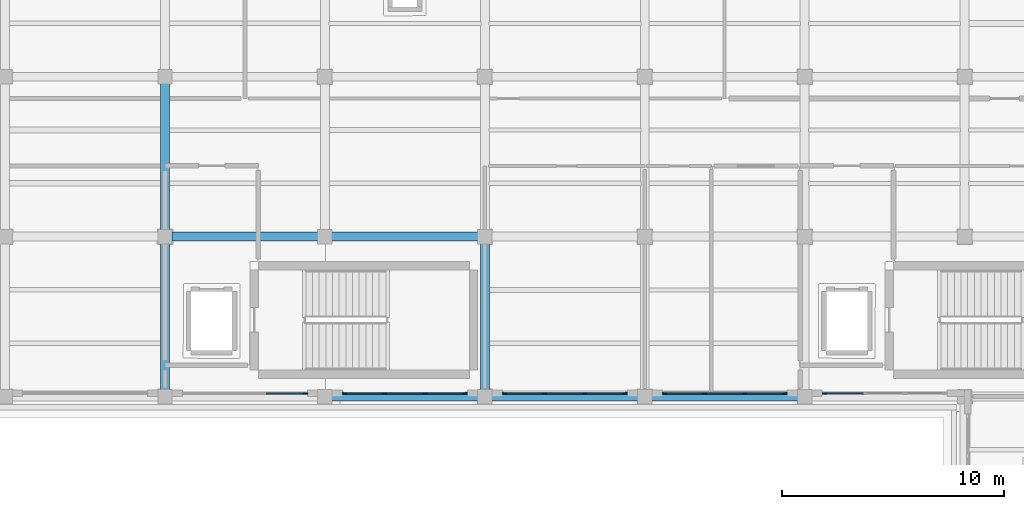
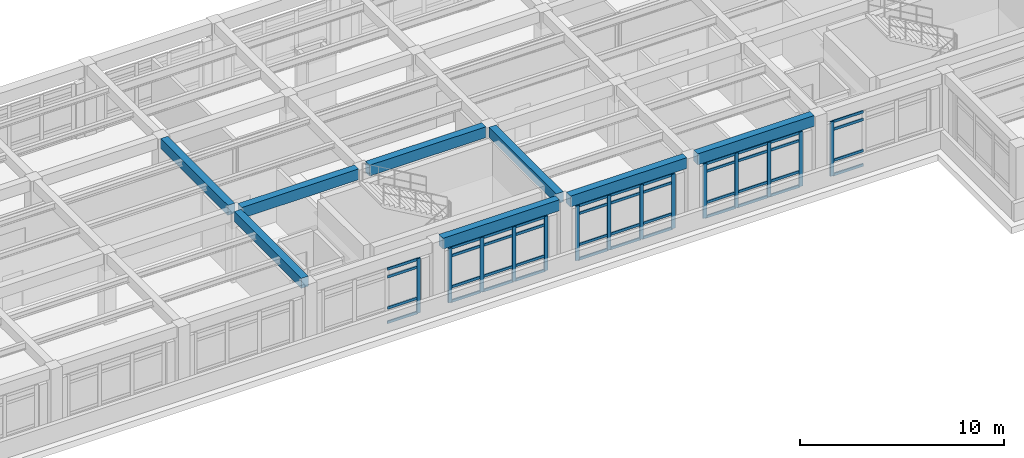
# One storey, part 25 of 55: 58 members, 8 beams, 5 elements without a shape of their own.
"""IFC4 building model written with IfcOpenShell, lengths in metres."""

from ifc_helpers import new_model, si_unit, direction, frame, origin, origin_2d, place, context, subcontext, project, spatial, rectangle, extrude, material, layer, layer_set, material_profile, profile_set, type_object, element, aggregate, save


model = new_model("IFC4")

# Units and contexts
model_context = context("Model", 3, precision=1e-05, world=origin(), true_north=direction((0.0, 1.0)))
body_context = subcontext(model_context, "Body", "Model", "MODEL_VIEW")
ifc_project = project(units=[si_unit("LENGTHUNIT", "METRE"), si_unit("AREAUNIT", "SQUARE_METRE"), si_unit("VOLUMEUNIT", "CUBIC_METRE"), si_unit("PLANEANGLEUNIT", "RADIAN"), si_unit("MASSUNIT", "GRAM", prefix="KILO")], contexts=[model_context])

# Site, building, storey
site_placement = place(None, origin())
site = spatial("IfcSite", under=ifc_project, at=site_placement, CompositionType="ELEMENT")
building_placement = place(site_placement, origin())
building = spatial("IfcBuilding", under=site, at=building_placement, Name="Solenvale Faculty of Natural Sciences", CompositionType="ELEMENT")
storey_placement = place(building_placement, frame((0.0, 0.0, 22.5)))
storey = spatial("IfcBuildingStorey", under=building, at=storey_placement, Name="L05", CompositionType="ELEMENT", Elevation=22.5)

# Beams
ifc_material_1 = material(Name="Concrete 40 MPa", Category="concrete")
ifc_material_profile_1 = material_profile(ifc_material_1, rectangle(XDim=0.39990234375, YDim=0.60009765625, at=origin_2d()), Name="RC-BM-400x600")
ifc_profile_set_1 = profile_set([ifc_material_profile_1], Name="Concrete 40 MPa")
beam_type_1 = type_object("IfcBeamType", Name="BM-RC-400x600", PredefinedType="BEAM", material=ifc_profile_set_1)
for number, where, z_axis, x_axis, name in (
    (1, (100.800048828125, 93.905029296875, 3.919921875), (0.0, 1.0, 0.0), (-1.0, 0.0, 0.0), "L05 Y-Girder X100.8 (93.6..100.8)"),
    (2, (100.800048828125, 101.10498046875, 3.919921875), (0.0, 1.0, 0.0), (-1.0, 0.0, 0.0), "L05 Y-Girder X100.8 (100.8..108.0)"),
    (3, (115.199951171875, 93.905029296875, 3.919921875), (0.0, 1.0, 0.0), (-1.0, 0.0, 0.0), "L05 Y-Girder X115.2 (93.6..100.8)"),
):
    element("IfcBeam", number, at=place(storey_placement, frame(where, z_axis=z_axis, x_axis=x_axis)), inside=storey, type_object=beam_type_1, Name=name, PredefinedType="BEAM", context=body_context, shape_type="SweptSolid", body=[
        extrude(rectangle(XDim=0.39990234375, YDim=0.60009765625, at=origin_2d()), origin(), (0.0, 0.0, 1.0), 6.590087890625),
    ])
ifc_material_profile_2 = material_profile(ifc_material_1, rectangle(XDim=0.39990234375, YDim=0.64990234375, at=origin_2d()), Name="RC-BM-400x650")
ifc_profile_set_2 = profile_set([ifc_material_profile_2], Name="Concrete 40 MPa")
beam_type_2 = type_object("IfcBeamType", Name="BM-RC-400x650", PredefinedType="BEAM", material=ifc_profile_set_2)
for number, where, z_axis, x_axis, name in (
    (4, (108.304931640625, 93.60009765625, 3.89501953125), (1.0, 0.0, 0.0), (0.0, 1.0, 0.0), "L05 X-Girder Y93.6 (108.0..115.2)"),
    (5, (115.5048828125, 93.60009765625, 3.89501953125), (1.0, 0.0, 0.0), (0.0, 1.0, 0.0), "L05 X-Girder Y93.6 (115.2..122.4)"),
):
    element("IfcBeam", number, at=place(storey_placement, frame(where, z_axis=z_axis, x_axis=x_axis)), inside=storey, type_object=beam_type_2, Name=name, PredefinedType="BEAM", context=body_context, shape_type="SweptSolid", body=[
        extrude(rectangle(XDim=0.39990234375, YDim=0.64990234375, at=origin_2d()), origin(), (0.0, 0.0, 1.0), 6.590087890625),
    ])
beam_placement = place(storey_placement, frame((122.705078125, 93.60009765625, 3.89501953125), z_axis=(1.0, 0.0, 0.0), x_axis=(0.0, 1.0, 0.0)))
element("IfcBeam", 6, at=beam_placement, inside=storey, type_object=beam_type_2, Name="L05 X-Girder Y93.6 (122.4..129.6)", PredefinedType="BEAM", context=body_context, shape_type="SweptSolid", body=[
    extrude(rectangle(XDim=0.39990234375, YDim=0.64990234375, at=origin_2d()), origin(), (0.0, 0.0, 1.0), 6.58984375),
])
for number, where, z_axis, x_axis, name in (
    (7, (101.10498046875, 100.800048828125, 3.89501953125), (1.0, 0.0, 0.0), (0.0, 1.0, 0.0), "L05 X-Girder Y100.8 (100.8..108.0)"),
    (8, (108.304931640625, 100.800048828125, 3.89501953125), (1.0, 0.0, 0.0), (0.0, 1.0, 0.0), "L05 X-Girder Y100.8 (108.0..115.2)"),
):
    element("IfcBeam", number, at=place(storey_placement, frame(where, z_axis=z_axis, x_axis=x_axis)), inside=storey, type_object=beam_type_2, Name=name, PredefinedType="BEAM", context=body_context, shape_type="SweptSolid", body=[
        extrude(rectangle(XDim=0.39990234375, YDim=0.64990234375, at=origin_2d()), origin(), (0.0, 0.0, 1.0), 6.590087890625),
    ])

# Curtain wall, member
ifc_material_2 = material(Name="Anodised bronze aluminium", Category="aluminium")
ifc_layer = layer(ifc_material_2, 0.179931640625)
ifc_layer_set = layer_set([ifc_layer], Name="Anodised bronze aluminium")
curtain_wall_type = type_object("IfcCurtainWallType", Name="CW-TWR-MOD", PredefinedType="USERDEFINED", material=ifc_layer_set)
curtain_wall_1_placement = place(storey_placement, origin())
curtain_wall_1 = element("IfcCurtainWall", 9, at=curtain_wall_1_placement, inside=storey, type_object=curtain_wall_type, Name="L05 Curtain Wall CW-L05-P2-E5-B4", ObjectType="UNITISED CURTAIN WALL", PredefinedType="USERDEFINED")
ifc_material_profile_3 = material_profile(ifc_material_2, rectangle(XDim=0.074951171875, YDim=0.2099609375, at=origin_2d()), Name="ALU-MUL-75x210")
ifc_profile_set_3 = profile_set([ifc_material_profile_3], Name="Anodised bronze aluminium")
member_type_1 = type_object("IfcMemberType", Name="CWM-ALU-75x210", PredefinedType="MULLION", material=ifc_profile_set_3)
member_1_placement = place(storey_placement, frame((107.112548828125, 93.742431640625, 0.0), z_axis=(0.0, 0.0, 1.0), x_axis=(0.0, 1.0, 0.0)))
member_1 = element("IfcMember", 10, at=member_1_placement, type_object=member_type_1, Name="CW-04 mullion 4", PredefinedType="MULLION", context=body_context, shape_type="SweptSolid", body=[
    extrude(rectangle(XDim=0.074951171875, YDim=0.2099609375, at=origin_2d()), origin(), (0.0, 0.0, 1.0), 3.260009765625),
])

# Curtain wall, members
curtain_wall_2_placement = place(storey_placement, origin())
curtain_wall_2 = element("IfcCurtainWall", 11, at=curtain_wall_2_placement, inside=storey, type_object=curtain_wall_type, Name="L05 Curtain Wall CW-L05-P2-E5-B5", ObjectType="UNITISED CURTAIN WALL", PredefinedType="USERDEFINED")
member_2_placement = place(storey_placement, frame((108.887451171875, 93.742431640625, 0.0), z_axis=(0.0, 0.0, 1.0), x_axis=(0.0, 1.0, 0.0)))
member_2 = element("IfcMember", 12, at=member_2_placement, type_object=member_type_1, Name="CW-04 mullion 1", PredefinedType="MULLION", context=body_context, shape_type="SweptSolid", body=[
    extrude(rectangle(XDim=0.074951171875, YDim=0.2099609375, at=origin_2d()), origin(), (0.0, 0.0, 1.0), 3.260009765625),
])
member_3_placement = place(storey_placement, frame((110.683349609375, 93.742431640625, 0.0), z_axis=(0.0, 0.0, 1.0), x_axis=(0.0, 1.0, 0.0)))
member_3 = element("IfcMember", 13, at=member_3_placement, type_object=member_type_1, Name="CW-04 mullion 2", PredefinedType="MULLION", context=body_context, shape_type="SweptSolid", body=[
    extrude(rectangle(XDim=0.074951171875, YDim=0.2099609375, at=origin_2d()), origin(), (0.0, 0.0, 1.0), 3.260009765625),
])
member_4_placement = place(storey_placement, frame((112.5166015625, 93.742431640625, 0.0), z_axis=(0.0, 0.0, 1.0), x_axis=(0.0, 1.0, 0.0)))
member_4 = element("IfcMember", 14, at=member_4_placement, type_object=member_type_1, Name="CW-04 mullion 3", PredefinedType="MULLION", context=body_context, shape_type="SweptSolid", body=[
    extrude(rectangle(XDim=0.074951171875, YDim=0.2099609375, at=origin_2d()), origin(), (0.0, 0.0, 1.0), 3.260009765625),
])
member_5_placement = place(storey_placement, frame((114.3125, 93.742431640625, 0.0), z_axis=(0.0, 0.0, 1.0), x_axis=(0.0, 1.0, 0.0)))
member_5 = element("IfcMember", 15, at=member_5_placement, type_object=member_type_1, Name="CW-04 mullion 4", PredefinedType="MULLION", context=body_context, shape_type="SweptSolid", body=[
    extrude(rectangle(XDim=0.074951171875, YDim=0.2099609375, at=origin_2d()), origin(), (0.0, 0.0, 1.0), 3.260009765625),
])

curtain_wall_3_placement = place(storey_placement, origin())
curtain_wall_3 = element("IfcCurtainWall", 16, at=curtain_wall_3_placement, inside=storey, type_object=curtain_wall_type, Name="L05 Curtain Wall CW-L05-P2-E5-B6", ObjectType="UNITISED CURTAIN WALL", PredefinedType="USERDEFINED")
member_6_placement = place(storey_placement, frame((116.08740234375, 93.742431640625, 0.0), z_axis=(0.0, 0.0, 1.0), x_axis=(0.0, 1.0, 0.0)))
member_6 = element("IfcMember", 17, at=member_6_placement, type_object=member_type_1, Name="CW-04 mullion 1", PredefinedType="MULLION", context=body_context, shape_type="SweptSolid", body=[
    extrude(rectangle(XDim=0.074951171875, YDim=0.2099609375, at=origin_2d()), origin(), (0.0, 0.0, 1.0), 3.260009765625),
])
member_7_placement = place(storey_placement, frame((117.88330078125, 93.742431640625, 0.0), z_axis=(0.0, 0.0, 1.0), x_axis=(0.0, 1.0, 0.0)))
member_7 = element("IfcMember", 18, at=member_7_placement, type_object=member_type_1, Name="CW-04 mullion 2", PredefinedType="MULLION", context=body_context, shape_type="SweptSolid", body=[
    extrude(rectangle(XDim=0.074951171875, YDim=0.2099609375, at=origin_2d()), origin(), (0.0, 0.0, 1.0), 3.260009765625),
])
member_8_placement = place(storey_placement, frame((119.716552734375, 93.742431640625, 0.0), z_axis=(0.0, 0.0, 1.0), x_axis=(0.0, 1.0, 0.0)))
member_8 = element("IfcMember", 19, at=member_8_placement, type_object=member_type_1, Name="CW-04 mullion 3", PredefinedType="MULLION", context=body_context, shape_type="SweptSolid", body=[
    extrude(rectangle(XDim=0.074951171875, YDim=0.2099609375, at=origin_2d()), origin(), (0.0, 0.0, 1.0), 3.260009765625),
])
member_9_placement = place(storey_placement, frame((121.512451171875, 93.742431640625, 0.0), z_axis=(0.0, 0.0, 1.0), x_axis=(0.0, 1.0, 0.0)))
member_9 = element("IfcMember", 20, at=member_9_placement, type_object=member_type_1, Name="CW-04 mullion 4", PredefinedType="MULLION", context=body_context, shape_type="SweptSolid", body=[
    extrude(rectangle(XDim=0.074951171875, YDim=0.2099609375, at=origin_2d()), origin(), (0.0, 0.0, 1.0), 3.260009765625),
])

curtain_wall_4_placement = place(storey_placement, origin())
curtain_wall_4 = element("IfcCurtainWall", 21, at=curtain_wall_4_placement, inside=storey, type_object=curtain_wall_type, Name="L05 Curtain Wall CW-L05-P2-E5-B7", ObjectType="UNITISED CURTAIN WALL", PredefinedType="USERDEFINED")
member_10_placement = place(storey_placement, frame((123.28759765625, 93.742431640625, 0.0), z_axis=(0.0, 0.0, 1.0), x_axis=(0.0, 1.0, 0.0)))
member_10 = element("IfcMember", 22, at=member_10_placement, type_object=member_type_1, Name="CW-04 mullion 1", PredefinedType="MULLION", context=body_context, shape_type="SweptSolid", body=[
    extrude(rectangle(XDim=0.074951171875, YDim=0.2099609375, at=origin_2d()), origin(), (0.0, 0.0, 1.0), 3.260009765625),
])
member_11_placement = place(storey_placement, frame((125.083251953125, 93.742431640625, 0.0), z_axis=(0.0, 0.0, 1.0), x_axis=(0.0, 1.0, 0.0)))
member_11 = element("IfcMember", 23, at=member_11_placement, type_object=member_type_1, Name="CW-04 mullion 2", PredefinedType="MULLION", context=body_context, shape_type="SweptSolid", body=[
    extrude(rectangle(XDim=0.074951171875, YDim=0.2099609375, at=origin_2d()), origin(), (0.0, 0.0, 1.0), 3.260009765625),
])
member_12_placement = place(storey_placement, frame((126.916748046875, 93.742431640625, 0.0), z_axis=(0.0, 0.0, 1.0), x_axis=(0.0, 1.0, 0.0)))
member_12 = element("IfcMember", 24, at=member_12_placement, type_object=member_type_1, Name="CW-04 mullion 3", PredefinedType="MULLION", context=body_context, shape_type="SweptSolid", body=[
    extrude(rectangle(XDim=0.074951171875, YDim=0.2099609375, at=origin_2d()), origin(), (0.0, 0.0, 1.0), 3.260009765625),
])
member_13_placement = place(storey_placement, frame((128.71240234375, 93.742431640625, 0.0), z_axis=(0.0, 0.0, 1.0), x_axis=(0.0, 1.0, 0.0)))
member_13 = element("IfcMember", 25, at=member_13_placement, type_object=member_type_1, Name="CW-04 mullion 4", PredefinedType="MULLION", context=body_context, shape_type="SweptSolid", body=[
    extrude(rectangle(XDim=0.074951171875, YDim=0.2099609375, at=origin_2d()), origin(), (0.0, 0.0, 1.0), 3.260009765625),
])

# Curtain wall, member
curtain_wall_5_placement = place(storey_placement, origin())
curtain_wall_5 = element("IfcCurtainWall", 26, at=curtain_wall_5_placement, inside=storey, type_object=curtain_wall_type, Name="L05 Curtain Wall CW-L05-P2-E5-B8", ObjectType="UNITISED CURTAIN WALL", PredefinedType="USERDEFINED")
member_14_placement = place(storey_placement, frame((130.487548828125, 93.742431640625, 0.0), z_axis=(0.0, 0.0, 1.0), x_axis=(0.0, 1.0, 0.0)))
member_14 = element("IfcMember", 27, at=member_14_placement, type_object=member_type_1, Name="CW-04 mullion 1", PredefinedType="MULLION", context=body_context, shape_type="SweptSolid", body=[
    extrude(rectangle(XDim=0.074951171875, YDim=0.2099609375, at=origin_2d()), origin(), (0.0, 0.0, 1.0), 3.260009765625),
])

# Member
ifc_material_profile_4 = material_profile(ifc_material_2, rectangle(XDim=0.074951171875, YDim=0.155029296875, at=origin_2d()), Name="ALU-TRN-75x155")
ifc_profile_set_4 = profile_set([ifc_material_profile_4], Name="Anodised bronze aluminium")
member_type_2 = type_object("IfcMemberType", Name="CWT-ALU-75x155", PredefinedType="USERDEFINED", material=ifc_profile_set_4)
member_15_placement = place(storey_placement, frame((105.354248046875, 93.742431640625, 0.03759765625), z_axis=(1.0, 0.0, 0.0), x_axis=(0.0, 1.0, 0.0)))
member_15 = element("IfcMember", 28, at=member_15_placement, type_object=member_type_2, Name="CW-04 transom 3.1", ObjectType="TRANSOM", PredefinedType="USERDEFINED", context=body_context, shape_type="SweptSolid", body=[
    extrude(rectangle(XDim=0.074951171875, YDim=0.155029296875, at=origin_2d()), origin(), (0.0, 0.0, 1.0), 1.720703125),
])

member_16_placement = place(storey_placement, frame((105.354248046875, 93.742431640625, 0.89990234375), z_axis=(1.0, 0.0, 0.0), x_axis=(0.0, 1.0, 0.0)))
member_16 = element("IfcMember", 29, at=member_16_placement, type_object=member_type_2, Name="CW-04 transom 3.2", ObjectType="TRANSOM", PredefinedType="USERDEFINED", context=body_context, shape_type="SweptSolid", body=[
    extrude(rectangle(XDim=0.074951171875, YDim=0.155029296875, at=origin_2d()), origin(), (0.0, 0.0, 1.0), 1.720703125),
])

member_17_placement = place(storey_placement, frame((105.354248046875, 93.742431640625, 2.760009765625), z_axis=(1.0, 0.0, 0.0), x_axis=(0.0, 1.0, 0.0)))
member_17 = element("IfcMember", 30, at=member_17_placement, type_object=member_type_2, Name="CW-04 transom 3.3", ObjectType="TRANSOM", PredefinedType="USERDEFINED", context=body_context, shape_type="SweptSolid", body=[
    extrude(rectangle(XDim=0.074951171875, YDim=0.155029296875, at=origin_2d()), origin(), (0.0, 0.0, 1.0), 1.720703125),
])

member_18_placement = place(storey_placement, frame((105.354248046875, 93.742431640625, 3.222412109375), z_axis=(1.0, 0.0, 0.0), x_axis=(0.0, 1.0, 0.0)))
member_18 = element("IfcMember", 31, at=member_18_placement, type_object=member_type_2, Name="CW-04 transom 3.4", ObjectType="TRANSOM", PredefinedType="USERDEFINED", context=body_context, shape_type="SweptSolid", body=[
    extrude(rectangle(XDim=0.074951171875, YDim=0.155029296875, at=origin_2d()), origin(), (0.0, 0.0, 1.0), 1.720703125),
])

aggregate(curtain_wall_1, [member_1, member_15, member_16, member_17, member_18])

member_19_placement = place(storey_placement, frame((108.925048828125, 93.742431640625, 0.03759765625), z_axis=(1.0, 0.0, 0.0), x_axis=(0.0, 1.0, 0.0)))
member_19 = element("IfcMember", 32, at=member_19_placement, type_object=member_type_2, Name="CW-04 transom 1.1", ObjectType="TRANSOM", PredefinedType="USERDEFINED", context=body_context, shape_type="SweptSolid", body=[
    extrude(rectangle(XDim=0.074951171875, YDim=0.155029296875, at=origin_2d()), origin(), (0.0, 0.0, 1.0), 1.720703125),
])

member_20_placement = place(storey_placement, frame((108.925048828125, 93.742431640625, 0.89990234375), z_axis=(1.0, 0.0, 0.0), x_axis=(0.0, 1.0, 0.0)))
member_20 = element("IfcMember", 33, at=member_20_placement, type_object=member_type_2, Name="CW-04 transom 1.2", ObjectType="TRANSOM", PredefinedType="USERDEFINED", context=body_context, shape_type="SweptSolid", body=[
    extrude(rectangle(XDim=0.074951171875, YDim=0.155029296875, at=origin_2d()), origin(), (0.0, 0.0, 1.0), 1.720703125),
])

member_21_placement = place(storey_placement, frame((108.925048828125, 93.742431640625, 2.760009765625), z_axis=(1.0, 0.0, 0.0), x_axis=(0.0, 1.0, 0.0)))
member_21 = element("IfcMember", 34, at=member_21_placement, type_object=member_type_2, Name="CW-04 transom 1.3", ObjectType="TRANSOM", PredefinedType="USERDEFINED", context=body_context, shape_type="SweptSolid", body=[
    extrude(rectangle(XDim=0.074951171875, YDim=0.155029296875, at=origin_2d()), origin(), (0.0, 0.0, 1.0), 1.720703125),
])

member_22_placement = place(storey_placement, frame((108.925048828125, 93.742431640625, 3.222412109375), z_axis=(1.0, 0.0, 0.0), x_axis=(0.0, 1.0, 0.0)))
member_22 = element("IfcMember", 35, at=member_22_placement, type_object=member_type_2, Name="CW-04 transom 1.4", ObjectType="TRANSOM", PredefinedType="USERDEFINED", context=body_context, shape_type="SweptSolid", body=[
    extrude(rectangle(XDim=0.074951171875, YDim=0.155029296875, at=origin_2d()), origin(), (0.0, 0.0, 1.0), 1.720703125),
])

member_23_placement = place(storey_placement, frame((110.720947265625, 93.742431640625, 0.03759765625), z_axis=(1.0, 0.0, 0.0), x_axis=(0.0, 1.0, 0.0)))
member_23 = element("IfcMember", 36, at=member_23_placement, type_object=member_type_2, Name="CW-04 transom 2.1", ObjectType="TRANSOM", PredefinedType="USERDEFINED", context=body_context, shape_type="SweptSolid", body=[
    extrude(rectangle(XDim=0.074951171875, YDim=0.155029296875, at=origin_2d()), origin(), (0.0, 0.0, 1.0), 1.75830078125),
])

member_24_placement = place(storey_placement, frame((110.720947265625, 93.742431640625, 0.89990234375), z_axis=(1.0, 0.0, 0.0), x_axis=(0.0, 1.0, 0.0)))
member_24 = element("IfcMember", 37, at=member_24_placement, type_object=member_type_2, Name="CW-04 transom 2.2", ObjectType="TRANSOM", PredefinedType="USERDEFINED", context=body_context, shape_type="SweptSolid", body=[
    extrude(rectangle(XDim=0.074951171875, YDim=0.155029296875, at=origin_2d()), origin(), (0.0, 0.0, 1.0), 1.75830078125),
])

member_25_placement = place(storey_placement, frame((110.720947265625, 93.742431640625, 2.760009765625), z_axis=(1.0, 0.0, 0.0), x_axis=(0.0, 1.0, 0.0)))
member_25 = element("IfcMember", 38, at=member_25_placement, type_object=member_type_2, Name="CW-04 transom 2.3", ObjectType="TRANSOM", PredefinedType="USERDEFINED", context=body_context, shape_type="SweptSolid", body=[
    extrude(rectangle(XDim=0.074951171875, YDim=0.155029296875, at=origin_2d()), origin(), (0.0, 0.0, 1.0), 1.75830078125),
])

member_26_placement = place(storey_placement, frame((110.720947265625, 93.742431640625, 3.222412109375), z_axis=(1.0, 0.0, 0.0), x_axis=(0.0, 1.0, 0.0)))
member_26 = element("IfcMember", 39, at=member_26_placement, type_object=member_type_2, Name="CW-04 transom 2.4", ObjectType="TRANSOM", PredefinedType="USERDEFINED", context=body_context, shape_type="SweptSolid", body=[
    extrude(rectangle(XDim=0.074951171875, YDim=0.155029296875, at=origin_2d()), origin(), (0.0, 0.0, 1.0), 1.75830078125),
])

member_27_placement = place(storey_placement, frame((112.55419921875, 93.742431640625, 0.03759765625), z_axis=(1.0, 0.0, 0.0), x_axis=(0.0, 1.0, 0.0)))
member_27 = element("IfcMember", 40, at=member_27_placement, type_object=member_type_2, Name="CW-04 transom 3.1", ObjectType="TRANSOM", PredefinedType="USERDEFINED", context=body_context, shape_type="SweptSolid", body=[
    extrude(rectangle(XDim=0.074951171875, YDim=0.155029296875, at=origin_2d()), origin(), (0.0, 0.0, 1.0), 1.720703125),
])

member_28_placement = place(storey_placement, frame((112.55419921875, 93.742431640625, 0.89990234375), z_axis=(1.0, 0.0, 0.0), x_axis=(0.0, 1.0, 0.0)))
member_28 = element("IfcMember", 41, at=member_28_placement, type_object=member_type_2, Name="CW-04 transom 3.2", ObjectType="TRANSOM", PredefinedType="USERDEFINED", context=body_context, shape_type="SweptSolid", body=[
    extrude(rectangle(XDim=0.074951171875, YDim=0.155029296875, at=origin_2d()), origin(), (0.0, 0.0, 1.0), 1.720703125),
])

member_29_placement = place(storey_placement, frame((112.55419921875, 93.742431640625, 2.760009765625), z_axis=(1.0, 0.0, 0.0), x_axis=(0.0, 1.0, 0.0)))
member_29 = element("IfcMember", 42, at=member_29_placement, type_object=member_type_2, Name="CW-04 transom 3.3", ObjectType="TRANSOM", PredefinedType="USERDEFINED", context=body_context, shape_type="SweptSolid", body=[
    extrude(rectangle(XDim=0.074951171875, YDim=0.155029296875, at=origin_2d()), origin(), (0.0, 0.0, 1.0), 1.720703125),
])

member_30_placement = place(storey_placement, frame((112.55419921875, 93.742431640625, 3.222412109375), z_axis=(1.0, 0.0, 0.0), x_axis=(0.0, 1.0, 0.0)))
member_30 = element("IfcMember", 43, at=member_30_placement, type_object=member_type_2, Name="CW-04 transom 3.4", ObjectType="TRANSOM", PredefinedType="USERDEFINED", context=body_context, shape_type="SweptSolid", body=[
    extrude(rectangle(XDim=0.074951171875, YDim=0.155029296875, at=origin_2d()), origin(), (0.0, 0.0, 1.0), 1.720703125),
])

aggregate(curtain_wall_2, [member_2, member_3, member_4, member_5, member_19, member_20, member_21, member_22, member_23, member_24, member_25, member_26, member_27, member_28, member_29, member_30])

member_31_placement = place(storey_placement, frame((116.125, 93.742431640625, 0.03759765625), z_axis=(1.0, 0.0, 0.0), x_axis=(0.0, 1.0, 0.0)))
member_31 = element("IfcMember", 44, at=member_31_placement, type_object=member_type_2, Name="CW-04 transom 1.1", ObjectType="TRANSOM", PredefinedType="USERDEFINED", context=body_context, shape_type="SweptSolid", body=[
    extrude(rectangle(XDim=0.074951171875, YDim=0.155029296875, at=origin_2d()), origin(), (0.0, 0.0, 1.0), 1.720947265625),
])

member_32_placement = place(storey_placement, frame((116.125, 93.742431640625, 0.89990234375), z_axis=(1.0, 0.0, 0.0), x_axis=(0.0, 1.0, 0.0)))
member_32 = element("IfcMember", 45, at=member_32_placement, type_object=member_type_2, Name="CW-04 transom 1.2", ObjectType="TRANSOM", PredefinedType="USERDEFINED", context=body_context, shape_type="SweptSolid", body=[
    extrude(rectangle(XDim=0.074951171875, YDim=0.155029296875, at=origin_2d()), origin(), (0.0, 0.0, 1.0), 1.720947265625),
])

member_33_placement = place(storey_placement, frame((116.125, 93.742431640625, 2.760009765625), z_axis=(1.0, 0.0, 0.0), x_axis=(0.0, 1.0, 0.0)))
member_33 = element("IfcMember", 46, at=member_33_placement, type_object=member_type_2, Name="CW-04 transom 1.3", ObjectType="TRANSOM", PredefinedType="USERDEFINED", context=body_context, shape_type="SweptSolid", body=[
    extrude(rectangle(XDim=0.074951171875, YDim=0.155029296875, at=origin_2d()), origin(), (0.0, 0.0, 1.0), 1.720947265625),
])

member_34_placement = place(storey_placement, frame((116.125, 93.742431640625, 3.222412109375), z_axis=(1.0, 0.0, 0.0), x_axis=(0.0, 1.0, 0.0)))
member_34 = element("IfcMember", 47, at=member_34_placement, type_object=member_type_2, Name="CW-04 transom 1.4", ObjectType="TRANSOM", PredefinedType="USERDEFINED", context=body_context, shape_type="SweptSolid", body=[
    extrude(rectangle(XDim=0.074951171875, YDim=0.155029296875, at=origin_2d()), origin(), (0.0, 0.0, 1.0), 1.720947265625),
])

member_35_placement = place(storey_placement, frame((117.9208984375, 93.742431640625, 0.03759765625), z_axis=(1.0, 0.0, 0.0), x_axis=(0.0, 1.0, 0.0)))
member_35 = element("IfcMember", 48, at=member_35_placement, type_object=member_type_2, Name="CW-04 transom 2.1", ObjectType="TRANSOM", PredefinedType="USERDEFINED", context=body_context, shape_type="SweptSolid", body=[
    extrude(rectangle(XDim=0.074951171875, YDim=0.155029296875, at=origin_2d()), origin(), (0.0, 0.0, 1.0), 1.75830078125),
])

member_36_placement = place(storey_placement, frame((117.9208984375, 93.742431640625, 0.89990234375), z_axis=(1.0, 0.0, 0.0), x_axis=(0.0, 1.0, 0.0)))
member_36 = element("IfcMember", 49, at=member_36_placement, type_object=member_type_2, Name="CW-04 transom 2.2", ObjectType="TRANSOM", PredefinedType="USERDEFINED", context=body_context, shape_type="SweptSolid", body=[
    extrude(rectangle(XDim=0.074951171875, YDim=0.155029296875, at=origin_2d()), origin(), (0.0, 0.0, 1.0), 1.75830078125),
])

member_37_placement = place(storey_placement, frame((117.9208984375, 93.742431640625, 2.760009765625), z_axis=(1.0, 0.0, 0.0), x_axis=(0.0, 1.0, 0.0)))
member_37 = element("IfcMember", 50, at=member_37_placement, type_object=member_type_2, Name="CW-04 transom 2.3", ObjectType="TRANSOM", PredefinedType="USERDEFINED", context=body_context, shape_type="SweptSolid", body=[
    extrude(rectangle(XDim=0.074951171875, YDim=0.155029296875, at=origin_2d()), origin(), (0.0, 0.0, 1.0), 1.75830078125),
])

member_38_placement = place(storey_placement, frame((117.9208984375, 93.742431640625, 3.222412109375), z_axis=(1.0, 0.0, 0.0), x_axis=(0.0, 1.0, 0.0)))
member_38 = element("IfcMember", 51, at=member_38_placement, type_object=member_type_2, Name="CW-04 transom 2.4", ObjectType="TRANSOM", PredefinedType="USERDEFINED", context=body_context, shape_type="SweptSolid", body=[
    extrude(rectangle(XDim=0.074951171875, YDim=0.155029296875, at=origin_2d()), origin(), (0.0, 0.0, 1.0), 1.75830078125),
])

member_39_placement = place(storey_placement, frame((119.754150390625, 93.742431640625, 0.03759765625), z_axis=(1.0, 0.0, 0.0), x_axis=(0.0, 1.0, 0.0)))
member_39 = element("IfcMember", 52, at=member_39_placement, type_object=member_type_2, Name="CW-04 transom 3.1", ObjectType="TRANSOM", PredefinedType="USERDEFINED", context=body_context, shape_type="SweptSolid", body=[
    extrude(rectangle(XDim=0.074951171875, YDim=0.155029296875, at=origin_2d()), origin(), (0.0, 0.0, 1.0), 1.720947265625),
])

member_40_placement = place(storey_placement, frame((119.754150390625, 93.742431640625, 0.89990234375), z_axis=(1.0, 0.0, 0.0), x_axis=(0.0, 1.0, 0.0)))
member_40 = element("IfcMember", 53, at=member_40_placement, type_object=member_type_2, Name="CW-04 transom 3.2", ObjectType="TRANSOM", PredefinedType="USERDEFINED", context=body_context, shape_type="SweptSolid", body=[
    extrude(rectangle(XDim=0.074951171875, YDim=0.155029296875, at=origin_2d()), origin(), (0.0, 0.0, 1.0), 1.720947265625),
])

member_41_placement = place(storey_placement, frame((119.754150390625, 93.742431640625, 2.760009765625), z_axis=(1.0, 0.0, 0.0), x_axis=(0.0, 1.0, 0.0)))
member_41 = element("IfcMember", 54, at=member_41_placement, type_object=member_type_2, Name="CW-04 transom 3.3", ObjectType="TRANSOM", PredefinedType="USERDEFINED", context=body_context, shape_type="SweptSolid", body=[
    extrude(rectangle(XDim=0.074951171875, YDim=0.155029296875, at=origin_2d()), origin(), (0.0, 0.0, 1.0), 1.720947265625),
])

member_42_placement = place(storey_placement, frame((119.754150390625, 93.742431640625, 3.222412109375), z_axis=(1.0, 0.0, 0.0), x_axis=(0.0, 1.0, 0.0)))
member_42 = element("IfcMember", 55, at=member_42_placement, type_object=member_type_2, Name="CW-04 transom 3.4", ObjectType="TRANSOM", PredefinedType="USERDEFINED", context=body_context, shape_type="SweptSolid", body=[
    extrude(rectangle(XDim=0.074951171875, YDim=0.155029296875, at=origin_2d()), origin(), (0.0, 0.0, 1.0), 1.720947265625),
])

aggregate(curtain_wall_3, [member_6, member_7, member_8, member_9, member_31, member_32, member_33, member_34, member_35, member_36, member_37, member_38, member_39, member_40, member_41, member_42])

member_43_placement = place(storey_placement, frame((123.324951171875, 93.742431640625, 0.03759765625), z_axis=(1.0, 0.0, 0.0), x_axis=(0.0, 1.0, 0.0)))
member_43 = element("IfcMember", 56, at=member_43_placement, type_object=member_type_2, Name="CW-04 transom 1.1", ObjectType="TRANSOM", PredefinedType="USERDEFINED", context=body_context, shape_type="SweptSolid", body=[
    extrude(rectangle(XDim=0.074951171875, YDim=0.155029296875, at=origin_2d()), origin(), (0.0, 0.0, 1.0), 1.720947265625),
])

member_44_placement = place(storey_placement, frame((123.324951171875, 93.742431640625, 0.89990234375), z_axis=(1.0, 0.0, 0.0), x_axis=(0.0, 1.0, 0.0)))
member_44 = element("IfcMember", 57, at=member_44_placement, type_object=member_type_2, Name="CW-04 transom 1.2", ObjectType="TRANSOM", PredefinedType="USERDEFINED", context=body_context, shape_type="SweptSolid", body=[
    extrude(rectangle(XDim=0.074951171875, YDim=0.155029296875, at=origin_2d()), origin(), (0.0, 0.0, 1.0), 1.720947265625),
])

member_45_placement = place(storey_placement, frame((123.324951171875, 93.742431640625, 2.760009765625), z_axis=(1.0, 0.0, 0.0), x_axis=(0.0, 1.0, 0.0)))
member_45 = element("IfcMember", 58, at=member_45_placement, type_object=member_type_2, Name="CW-04 transom 1.3", ObjectType="TRANSOM", PredefinedType="USERDEFINED", context=body_context, shape_type="SweptSolid", body=[
    extrude(rectangle(XDim=0.074951171875, YDim=0.155029296875, at=origin_2d()), origin(), (0.0, 0.0, 1.0), 1.720947265625),
])

member_46_placement = place(storey_placement, frame((123.324951171875, 93.742431640625, 3.222412109375), z_axis=(1.0, 0.0, 0.0), x_axis=(0.0, 1.0, 0.0)))
member_46 = element("IfcMember", 59, at=member_46_placement, type_object=member_type_2, Name="CW-04 transom 1.4", ObjectType="TRANSOM", PredefinedType="USERDEFINED", context=body_context, shape_type="SweptSolid", body=[
    extrude(rectangle(XDim=0.074951171875, YDim=0.155029296875, at=origin_2d()), origin(), (0.0, 0.0, 1.0), 1.720947265625),
])

member_47_placement = place(storey_placement, frame((125.120849609375, 93.742431640625, 0.03759765625), z_axis=(1.0, 0.0, 0.0), x_axis=(0.0, 1.0, 0.0)))
member_47 = element("IfcMember", 60, at=member_47_placement, type_object=member_type_2, Name="CW-04 transom 2.1", ObjectType="TRANSOM", PredefinedType="USERDEFINED", context=body_context, shape_type="SweptSolid", body=[
    extrude(rectangle(XDim=0.074951171875, YDim=0.155029296875, at=origin_2d()), origin(), (0.0, 0.0, 1.0), 1.75830078125),
])

member_48_placement = place(storey_placement, frame((125.120849609375, 93.742431640625, 0.89990234375), z_axis=(1.0, 0.0, 0.0), x_axis=(0.0, 1.0, 0.0)))
member_48 = element("IfcMember", 61, at=member_48_placement, type_object=member_type_2, Name="CW-04 transom 2.2", ObjectType="TRANSOM", PredefinedType="USERDEFINED", context=body_context, shape_type="SweptSolid", body=[
    extrude(rectangle(XDim=0.074951171875, YDim=0.155029296875, at=origin_2d()), origin(), (0.0, 0.0, 1.0), 1.75830078125),
])

member_49_placement = place(storey_placement, frame((125.120849609375, 93.742431640625, 2.760009765625), z_axis=(1.0, 0.0, 0.0), x_axis=(0.0, 1.0, 0.0)))
member_49 = element("IfcMember", 62, at=member_49_placement, type_object=member_type_2, Name="CW-04 transom 2.3", ObjectType="TRANSOM", PredefinedType="USERDEFINED", context=body_context, shape_type="SweptSolid", body=[
    extrude(rectangle(XDim=0.074951171875, YDim=0.155029296875, at=origin_2d()), origin(), (0.0, 0.0, 1.0), 1.75830078125),
])

member_50_placement = place(storey_placement, frame((125.120849609375, 93.742431640625, 3.222412109375), z_axis=(1.0, 0.0, 0.0), x_axis=(0.0, 1.0, 0.0)))
member_50 = element("IfcMember", 63, at=member_50_placement, type_object=member_type_2, Name="CW-04 transom 2.4", ObjectType="TRANSOM", PredefinedType="USERDEFINED", context=body_context, shape_type="SweptSolid", body=[
    extrude(rectangle(XDim=0.074951171875, YDim=0.155029296875, at=origin_2d()), origin(), (0.0, 0.0, 1.0), 1.75830078125),
])

member_51_placement = place(storey_placement, frame((126.9541015625, 93.742431640625, 0.03759765625), z_axis=(1.0, 0.0, 0.0), x_axis=(0.0, 1.0, 0.0)))
member_51 = element("IfcMember", 64, at=member_51_placement, type_object=member_type_2, Name="CW-04 transom 3.1", ObjectType="TRANSOM", PredefinedType="USERDEFINED", context=body_context, shape_type="SweptSolid", body=[
    extrude(rectangle(XDim=0.074951171875, YDim=0.155029296875, at=origin_2d()), origin(), (0.0, 0.0, 1.0), 1.720947265625),
])

member_52_placement = place(storey_placement, frame((126.9541015625, 93.742431640625, 0.89990234375), z_axis=(1.0, 0.0, 0.0), x_axis=(0.0, 1.0, 0.0)))
member_52 = element("IfcMember", 65, at=member_52_placement, type_object=member_type_2, Name="CW-04 transom 3.2", ObjectType="TRANSOM", PredefinedType="USERDEFINED", context=body_context, shape_type="SweptSolid", body=[
    extrude(rectangle(XDim=0.074951171875, YDim=0.155029296875, at=origin_2d()), origin(), (0.0, 0.0, 1.0), 1.720947265625),
])

member_53_placement = place(storey_placement, frame((126.9541015625, 93.742431640625, 2.760009765625), z_axis=(1.0, 0.0, 0.0), x_axis=(0.0, 1.0, 0.0)))
member_53 = element("IfcMember", 66, at=member_53_placement, type_object=member_type_2, Name="CW-04 transom 3.3", ObjectType="TRANSOM", PredefinedType="USERDEFINED", context=body_context, shape_type="SweptSolid", body=[
    extrude(rectangle(XDim=0.074951171875, YDim=0.155029296875, at=origin_2d()), origin(), (0.0, 0.0, 1.0), 1.720947265625),
])

member_54_placement = place(storey_placement, frame((126.9541015625, 93.742431640625, 3.222412109375), z_axis=(1.0, 0.0, 0.0), x_axis=(0.0, 1.0, 0.0)))
member_54 = element("IfcMember", 67, at=member_54_placement, type_object=member_type_2, Name="CW-04 transom 3.4", ObjectType="TRANSOM", PredefinedType="USERDEFINED", context=body_context, shape_type="SweptSolid", body=[
    extrude(rectangle(XDim=0.074951171875, YDim=0.155029296875, at=origin_2d()), origin(), (0.0, 0.0, 1.0), 1.720947265625),
])

aggregate(curtain_wall_4, [member_10, member_11, member_12, member_13, member_43, member_44, member_45, member_46, member_47, member_48, member_49, member_50, member_51, member_52, member_53, member_54])

member_55_placement = place(storey_placement, frame((130.52490234375, 93.742431640625, 0.03759765625), z_axis=(1.0, 0.0, 0.0), x_axis=(0.0, 1.0, 0.0)))
member_55 = element("IfcMember", 68, at=member_55_placement, type_object=member_type_2, Name="CW-04 transom 1.1", ObjectType="TRANSOM", PredefinedType="USERDEFINED", context=body_context, shape_type="SweptSolid", body=[
    extrude(rectangle(XDim=0.074951171875, YDim=0.155029296875, at=origin_2d()), origin(), (0.0, 0.0, 1.0), 1.720947265625),
])

member_56_placement = place(storey_placement, frame((130.52490234375, 93.742431640625, 0.89990234375), z_axis=(1.0, 0.0, 0.0), x_axis=(0.0, 1.0, 0.0)))
member_56 = element("IfcMember", 69, at=member_56_placement, type_object=member_type_2, Name="CW-04 transom 1.2", ObjectType="TRANSOM", PredefinedType="USERDEFINED", context=body_context, shape_type="SweptSolid", body=[
    extrude(rectangle(XDim=0.074951171875, YDim=0.155029296875, at=origin_2d()), origin(), (0.0, 0.0, 1.0), 1.720947265625),
])

member_57_placement = place(storey_placement, frame((130.52490234375, 93.742431640625, 2.760009765625), z_axis=(1.0, 0.0, 0.0), x_axis=(0.0, 1.0, 0.0)))
member_57 = element("IfcMember", 70, at=member_57_placement, type_object=member_type_2, Name="CW-04 transom 1.3", ObjectType="TRANSOM", PredefinedType="USERDEFINED", context=body_context, shape_type="SweptSolid", body=[
    extrude(rectangle(XDim=0.074951171875, YDim=0.155029296875, at=origin_2d()), origin(), (0.0, 0.0, 1.0), 1.720947265625),
])

member_58_placement = place(storey_placement, frame((130.52490234375, 93.742431640625, 3.222412109375), z_axis=(1.0, 0.0, 0.0), x_axis=(0.0, 1.0, 0.0)))
member_58 = element("IfcMember", 71, at=member_58_placement, type_object=member_type_2, Name="CW-04 transom 1.4", ObjectType="TRANSOM", PredefinedType="USERDEFINED", context=body_context, shape_type="SweptSolid", body=[
    extrude(rectangle(XDim=0.074951171875, YDim=0.155029296875, at=origin_2d()), origin(), (0.0, 0.0, 1.0), 1.720947265625),
])

aggregate(curtain_wall_5, [member_14, member_55, member_56, member_57, member_58])

save(model, "model.ifc")
